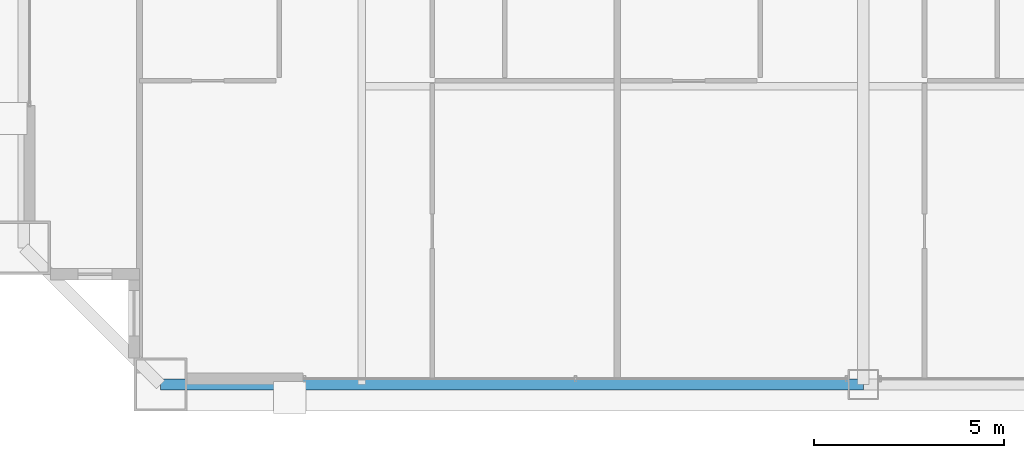
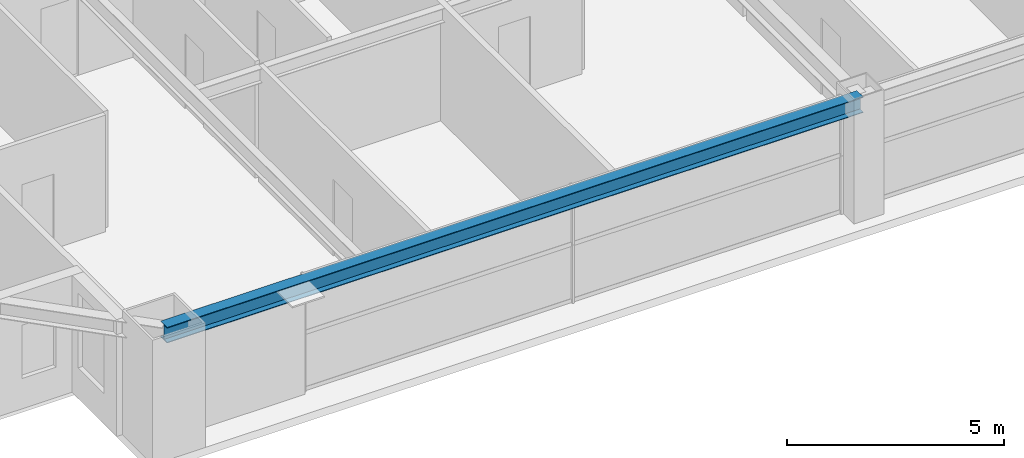
# One storey, part 5 of 38: 1 beam.
"""IFC4 building model written with IfcOpenShell, lengths in metres."""

from ifc_helpers import new_model, si_unit, direction, frame, origin, origin_2d, place, context, subcontext, project, spatial, i_section, extrude, source, transform, mapped, material, material_profile, profile_set, type_object, element, save


model = new_model("IFC4")

# Units and contexts
model_context = context("Model", 3, precision=1e-05, world=origin(), true_north=direction((0.0, 1.0)))
body_context = subcontext(model_context, "Body", "Model", "MODEL_VIEW")
ifc_project = project(units=[si_unit("LENGTHUNIT", "METRE"), si_unit("AREAUNIT", "SQUARE_METRE"), si_unit("VOLUMEUNIT", "CUBIC_METRE"), si_unit("PLANEANGLEUNIT", "RADIAN"), si_unit("MASSUNIT", "GRAM", prefix="KILO"), si_unit("THERMODYNAMICTEMPERATUREUNIT", "KELVIN"), si_unit("POWERUNIT", "WATT")], contexts=[model_context])

# Site, building, storey
site_placement = place(None, origin())
site = spatial("IfcSite", under=ifc_project, at=site_placement, CompositionType="ELEMENT")
building_placement = place(site_placement, origin())
building = spatial("IfcBuilding", under=site, at=building_placement, Name="Yuzanri Waterfront Tower", CompositionType="ELEMENT")
storey_placement = place(building_placement, frame((0.0, 0.0, 202.0)))
storey = spatial("IfcBuildingStorey", under=building, at=storey_placement, Name="L53", CompositionType="ELEMENT", Elevation=202.0)

# Beam
ifc_material = material(Name="Steel Q355B", Category="steel")
ifc_material_profile = material_profile(ifc_material, i_section(OverallWidth=0.300048828125, OverallDepth=0.43994140625, WebThickness=0.010986328125, FlangeThickness=0.01806640625, at=origin_2d()), Name="HM 440x300x11x18")
ifc_profile_set = profile_set([ifc_material_profile], Name="Steel Q355B")
beam_type = type_object("IfcBeamType", Name="Perimeter Spandrel Q355B HM 440x300", PredefinedType="SPANDREL", material=ifc_profile_set)
shared_shape = source(origin(), body_context, "Body", "SweptSolid", [
    extrude(i_section(OverallWidth=0.300048828125, OverallDepth=0.43994140625, WebThickness=0.010986328125, FlangeThickness=0.01806640625, at=origin_2d()), origin(), (0.0, 0.0, 1.0), 18.5),
])
beam_placement = place(storey_placement, frame((18.5, 3.699951171875, 3.06005859375), z_axis=(1.0, 0.0, 0.0), x_axis=(0.0, 1.0, 0.0)))
element("IfcBeam", 1, at=beam_placement, inside=storey, type_object=beam_type, Name="L53 Perimeter Spandrel S1-S2", PredefinedType="SPANDREL", context=body_context, shape_type="MappedRepresentation", body=[
    mapped(shared_shape, transform((0.0, 0.0, 0.0), scale=1.0)),
])

save(model, "model.ifc")
